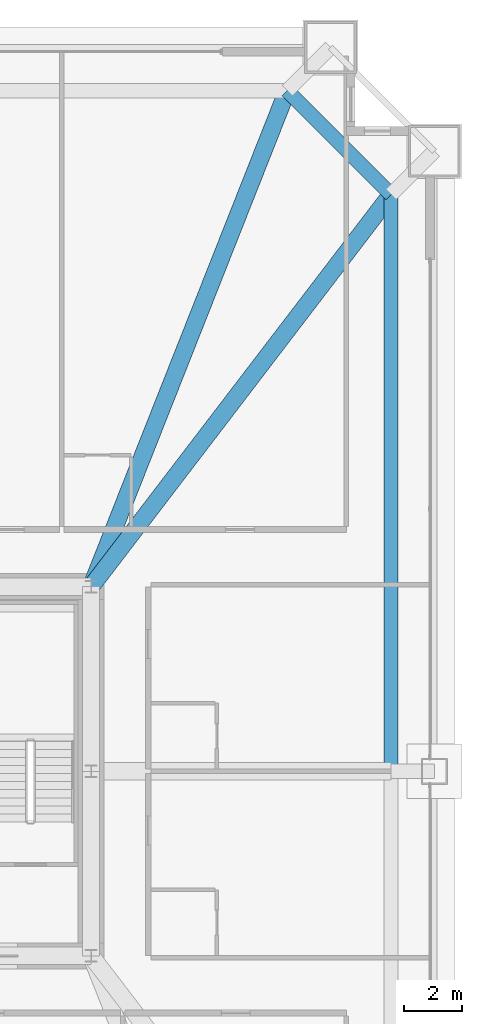
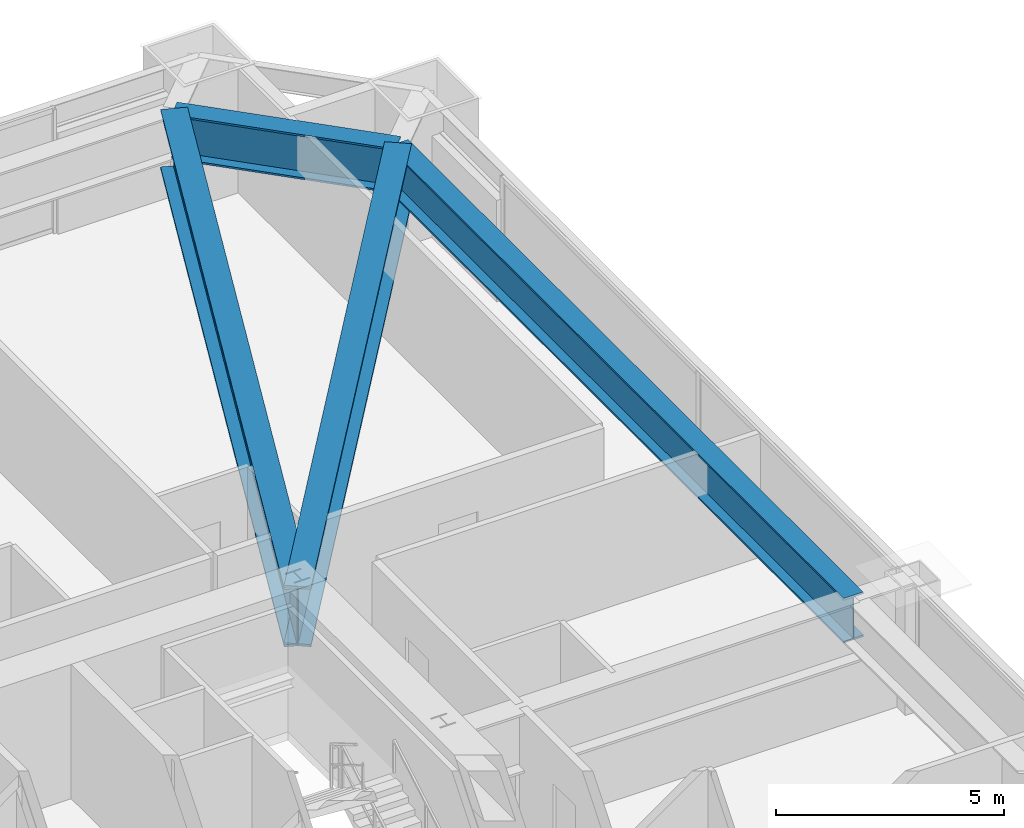
# One storey, part 31 of 44: 4 beams.
"""IFC4 building model written with IfcOpenShell, lengths in metres."""

from ifc_helpers import new_model, si_unit, direction, frame, origin, origin_2d, place, context, subcontext, project, spatial, i_section, extrude, source, transform, mapped, material, material_profile, profile_set, type_object, element, save


model = new_model("IFC4")

# Units and contexts
model_context = context("Model", 3, precision=1e-05, world=origin(), true_north=direction((0.0, 1.0)))
body_context = subcontext(model_context, "Body", "Model", "MODEL_VIEW")
ifc_project = project(units=[si_unit("LENGTHUNIT", "METRE"), si_unit("AREAUNIT", "SQUARE_METRE"), si_unit("VOLUMEUNIT", "CUBIC_METRE"), si_unit("PLANEANGLEUNIT", "RADIAN"), si_unit("MASSUNIT", "GRAM", prefix="KILO"), si_unit("THERMODYNAMICTEMPERATUREUNIT", "KELVIN"), si_unit("POWERUNIT", "WATT")], contexts=[model_context])

# Site, building, storey
site_placement = place(None, origin())
site = spatial("IfcSite", under=ifc_project, at=site_placement, CompositionType="ELEMENT")
building_placement = place(site_placement, origin())
building = spatial("IfcBuilding", under=site, at=building_placement, Name="Yuzanri Waterfront Tower", CompositionType="ELEMENT")
storey_placement = place(building_placement, frame((0.0, 0.0, 82.0)))
storey = spatial("IfcBuildingStorey", under=building, at=storey_placement, Name="L21", CompositionType="ELEMENT", Elevation=82.0)

# Beams
ifc_material_1 = material(Name="Steel Q420GJC", Category="steel")
ifc_material_profile_1 = material_profile(ifc_material_1, i_section(OverallWidth=0.60009765625, OverallDepth=1.60009765625, WebThickness=0.031982421875, FlangeThickness=0.06005859375, at=origin_2d()), Name="PG 1600x600x32x60")
ifc_profile_set_1 = profile_set([ifc_material_profile_1], Name="Steel Q420GJC")
beam_type_1 = type_object("IfcBeamType", Name="Ballroom Transfer Girder Q420GJC PG 1600x600", PredefinedType="USERDEFINED", material=ifc_profile_set_1)
shared_shape_1 = source(origin(), body_context, "Body", "SweptSolid", [
    extrude(i_section(OverallWidth=0.60009765625, OverallDepth=1.60009765625, WebThickness=0.031982421875, FlangeThickness=0.06005859375, at=origin_2d()), origin(), (0.0, 0.0, 1.0), 18.495361328125),
])
beam_1_placement = place(storey_placement, frame((50.199951171875, 32.199951171875, 2.52001953125), z_axis=(0.367662075171, 0.929959460665, 0.0), x_axis=(-0.929959460665, 0.367662075171, 0.0)))
element("IfcBeam", 1, at=beam_1_placement, inside=storey, type_object=beam_type_1, Name="L21 Setback Inner Transfer N3", ObjectType="GIRDER", PredefinedType="USERDEFINED", context=body_context, shape_type="MappedRepresentation", body=[
    mapped(shared_shape_1, transform((0.0, 0.0, 0.0), scale=1.0)),
])
shared_shape_2 = source(origin(), body_context, "Body", "SweptSolid", [
    extrude(i_section(OverallWidth=0.60009765625, OverallDepth=1.60009765625, WebThickness=0.031982421875, FlangeThickness=0.06005859375, at=origin_2d()), origin(), (0.0, 0.0, 1.0), 17.120849609375),
])
beam_2_placement = place(storey_placement, frame((50.199951171875, 32.199951171875, 2.52001953125), z_axis=(0.607452754035, 0.794355809204, 0.0), x_axis=(-0.794355809204, 0.607452754035, 0.0)))
element("IfcBeam", 2, at=beam_2_placement, inside=storey, type_object=beam_type_1, Name="L21 Setback Inner Transfer E3", ObjectType="GIRDER", PredefinedType="USERDEFINED", context=body_context, shape_type="MappedRepresentation", body=[
    mapped(shared_shape_2, transform((0.0, 0.0, 0.0), scale=1.0)),
])
ifc_material_2 = material(Name="Steel Q420GJC", Category="steel")
ifc_material_profile_2 = material_profile(ifc_material_2, i_section(OverallWidth=0.5, OverallDepth=1.199951171875, WebThickness=0.028076171875, FlangeThickness=0.050048828125, at=origin_2d()), Name="PG 1200x500x28x50")
ifc_profile_set_2 = profile_set([ifc_material_profile_2], Name="Steel Q420GJC")
beam_type_2 = type_object("IfcBeamType", Name="Setback Transfer Girder Q420GJC PG 1200x500", PredefinedType="USERDEFINED", material=ifc_profile_set_2)
shared_shape_3 = source(origin(), body_context, "Body", "SweptSolid", [
    extrude(i_section(OverallWidth=0.5, OverallDepth=1.199951171875, WebThickness=0.028076171875, FlangeThickness=0.050048828125, at=origin_2d()), origin(), (0.0, 0.0, 1.0), 20.0),
])
beam_3_placement = place(storey_placement, frame((60.60009765625, 25.800048828125, 2.719970703125), z_axis=(0.0, 1.0, 0.0), x_axis=(-1.0, 0.0, 0.0)))
element("IfcBeam", 3, at=beam_3_placement, inside=storey, type_object=beam_type_2, Name="L21 Setback Upper Ring E2-E3", ObjectType="GIRDER", PredefinedType="USERDEFINED", context=body_context, shape_type="MappedRepresentation", body=[
    mapped(shared_shape_3, transform((0.0, 0.0, 0.0), scale=1.0)),
])
shared_shape_4 = source(origin(), body_context, "Body", "SweptSolid", [
    extrude(i_section(OverallWidth=0.5, OverallDepth=1.199951171875, WebThickness=0.028076171875, FlangeThickness=0.050048828125, at=origin_2d()), origin(), (0.0, 0.0, 1.0), 5.091064453125),
])
beam_4_placement = place(storey_placement, frame((60.60009765625, 45.800048828125, 2.719970703125), z_axis=(-0.707130757816, 0.707082803744, 0.0), x_axis=(-0.707082803744, -0.707130757816, 0.0)))
element("IfcBeam", 4, at=beam_4_placement, inside=storey, type_object=beam_type_2, Name="L21 Setback Upper Ring E3-N3", ObjectType="GIRDER", PredefinedType="USERDEFINED", context=body_context, shape_type="MappedRepresentation", body=[
    mapped(shared_shape_4, transform((0.0, 0.0, 0.0), scale=1.0)),
])

save(model, "model.ifc")
